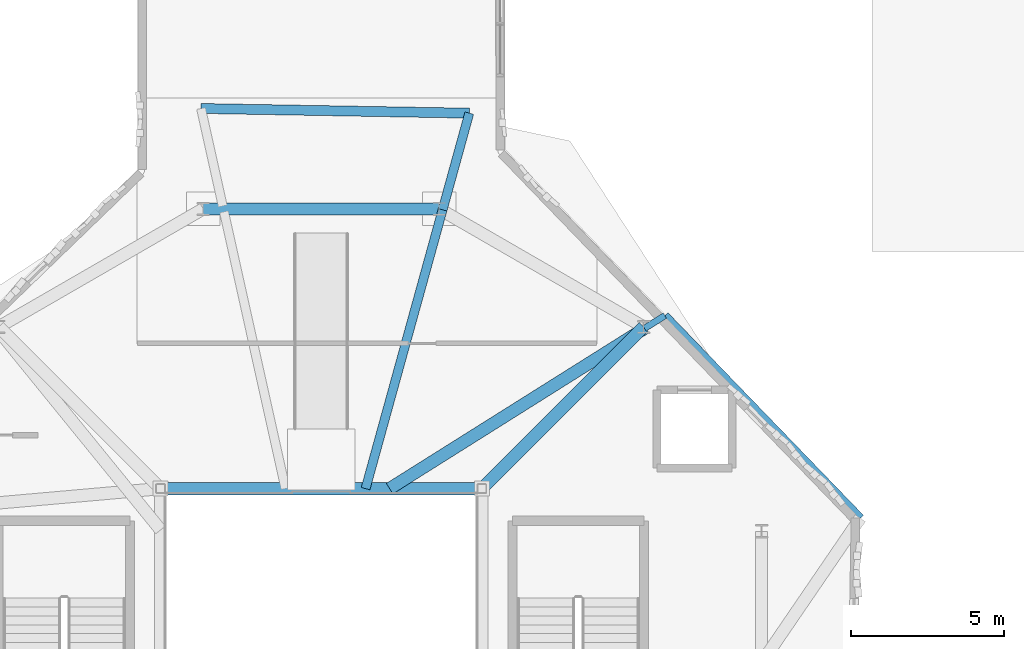
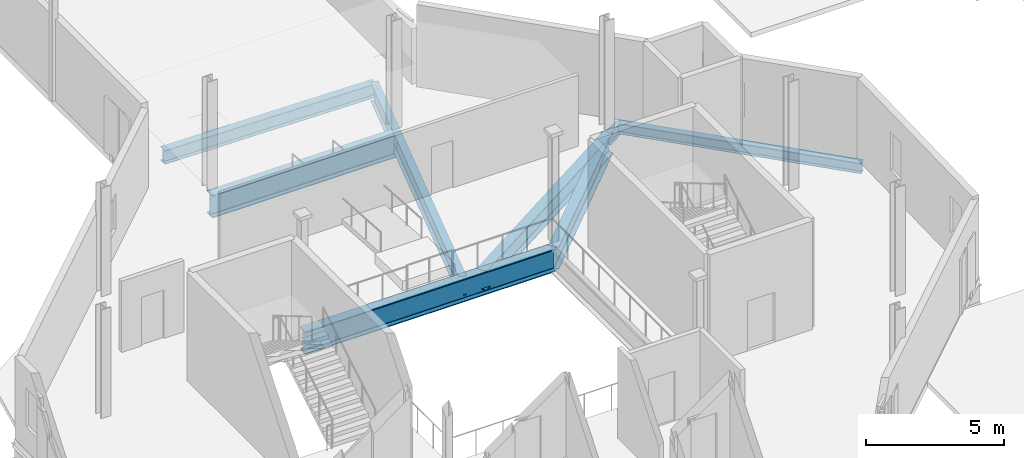
# One storey, part 33 of 85: 9 beams.
"""IFC4 building model written with IfcOpenShell, lengths in metres."""

from ifc_helpers import new_model, si_unit, direction, frame, origin, origin_2d, place, context, subcontext, project, spatial, i_section, extrude, material, material_profile, profile_set, type_object, element, save


model = new_model("IFC4")

# Units and contexts
model_context = context("Model", 3, precision=1e-05, world=origin(), true_north=direction((0.0, 1.0)))
body_context = subcontext(model_context, "Body", "Model", "MODEL_VIEW")
ifc_project = project(units=[si_unit("LENGTHUNIT", "METRE"), si_unit("AREAUNIT", "SQUARE_METRE"), si_unit("VOLUMEUNIT", "CUBIC_METRE"), si_unit("PLANEANGLEUNIT", "RADIAN"), si_unit("MASSUNIT", "GRAM", prefix="KILO"), si_unit("THERMODYNAMICTEMPERATUREUNIT", "KELVIN"), si_unit("POWERUNIT", "WATT")], contexts=[model_context])

# Site, building, storey
site_placement = place(None, origin())
site = spatial("IfcSite", under=ifc_project, at=site_placement, CompositionType="ELEMENT")
building_placement = place(site_placement, origin())
building = spatial("IfcBuilding", under=site, at=building_placement, Name="Zelmaris Science Centre", CompositionType="ELEMENT")
storey_placement = place(building_placement, frame((0.0, 0.0, 20.39990234375)))
storey = spatial("IfcBuildingStorey", under=building, at=storey_placement, Name="L04", CompositionType="ELEMENT", Elevation=20.39990234375)

# Beams
ifc_material = material(Name="Steel ASTM A992 Grade 50", Category="steel")
ifc_material_profile_1 = material_profile(ifc_material, i_section(OverallWidth=0.294921875, OverallDepth=0.85107421875, WebThickness=0.01611328125, FlangeThickness=0.02685546875, FilletRadius=0.02001953125, at=origin_2d()), Name="W33X152")
ifc_profile_set_1 = profile_set([ifc_material_profile_1], Name="Steel ASTM A992 Grade 50")
beam_type_1 = type_object("IfcBeamType", Name="Beam G-06 W33X152", PredefinedType="BEAM", material=ifc_profile_set_1)
beam_1_placement = place(storey_placement, frame((82.4501953125, 41.25, -0.705322265625), z_axis=(0.266247608215, 0.963904669104, 0.0), x_axis=(-0.963904669104, 0.266247608215, 0.0)))
element("IfcBeam", 1, at=beam_1_placement, inside=storey, type_object=beam_type_1, Name="L04 Overhang back-span girder 6", PredefinedType="BEAM", context=body_context, shape_type="SweptSolid", body=[
    extrude(i_section(OverallWidth=0.294921875, OverallDepth=0.85107421875, WebThickness=0.01611328125, FlangeThickness=0.02685546875, FilletRadius=0.02001953125, at=origin_2d()), origin(), (0.0, 0.0, 1.0), 9.453125),
])
beam_2_placement = place(storey_placement, frame((84.967041015625, 50.36181640625, -0.705322265625), z_axis=(0.26626072042, 0.963901047183, 0.0), x_axis=(-0.963901047183, 0.26626072042, 0.0)))
element("IfcBeam", 2, at=beam_2_placement, inside=storey, type_object=beam_type_1, Name="L04 Radial overhang girder 6", PredefinedType="BEAM", context=body_context, shape_type="SweptSolid", body=[
    extrude(i_section(OverallWidth=0.294921875, OverallDepth=0.85107421875, WebThickness=0.01611328125, FlangeThickness=0.02685546875, FilletRadius=0.02001953125, at=origin_2d()), origin(), (0.0, 0.0, 1.0), 3.278076171875),
])
ifc_material_profile_2 = material_profile(ifc_material, i_section(OverallWidth=0.2109375, OverallDepth=0.5380859375, WebThickness=0.01171875, FlangeThickness=0.018798828125, FilletRadius=0.013916015625, at=origin_2d()), Name="W21X73")
ifc_profile_set_2 = profile_set([ifc_material_profile_2], Name="Steel ASTM A992 Grade 50")
beam_type_2 = type_object("IfcBeamType", Name="Beam G-19 W21X73", PredefinedType="BEAM", material=ifc_profile_set_2)
beam_3_placement = place(storey_placement, frame((91.567138671875, 46.486328125, -0.548828125), z_axis=(0.846560360233, 0.532292735702, 0.0), x_axis=(-0.532292735702, 0.846560360233, 0.0)))
element("IfcBeam", 3, at=beam_3_placement, inside=storey, type_object=beam_type_2, Name="L04 Radial overhang girder 5", PredefinedType="BEAM", context=body_context, shape_type="SweptSolid", body=[
    extrude(i_section(OverallWidth=0.2109375, OverallDepth=0.5380859375, WebThickness=0.01171875, FlangeThickness=0.018798828125, FilletRadius=0.013916015625, at=origin_2d()), origin(), (0.0, 0.0, 1.0), 0.783935546875),
])
ifc_material_profile_3 = material_profile(ifc_material, i_section(OverallWidth=0.40087890625, OverallDepth=1.0009765625, WebThickness=0.01904296875, FlangeThickness=0.0361328125, FilletRadius=0.02490234375, at=origin_2d()), Name="W40X249")
ifc_profile_set_3 = profile_set([ifc_material_profile_3], Name="Steel ASTM A992 Grade 50")
beam_type_3 = type_object("IfcBeamType", Name="Beam G-22 W40X249", PredefinedType="BEAM", material=ifc_profile_set_3)
beam_4_placement = place(storey_placement, frame((84.8564453125, 50.392333984375, -0.780517578125), z_axis=(-1.0, 0.0, 0.0), x_axis=(0.0, -1.0, 0.0)))
element("IfcBeam", 4, at=beam_4_placement, inside=storey, type_object=beam_type_3, Name="L04 Exhibition inner ring girder 3", PredefinedType="BEAM", context=body_context, shape_type="SweptSolid", body=[
    extrude(i_section(OverallWidth=0.40087890625, OverallDepth=1.0009765625, WebThickness=0.01904296875, FlangeThickness=0.0361328125, FilletRadius=0.02490234375, at=origin_2d()), origin(), (0.0, 0.0, 1.0), 7.712890625),
])
beam_5_placement = place(storey_placement, frame((86.25, 41.25, -0.780517578125), z_axis=(-1.0, 0.0, 0.0), x_axis=(0.0, -1.0, 0.0)))
element("IfcBeam", 5, at=beam_5_placement, inside=storey, type_object=beam_type_3, Name="L04 Atrium framing girder 3", PredefinedType="BEAM", context=body_context, shape_type="SweptSolid", body=[
    extrude(i_section(OverallWidth=0.40087890625, OverallDepth=1.0009765625, WebThickness=0.01904296875, FlangeThickness=0.0361328125, FilletRadius=0.02490234375, at=origin_2d()), origin(), (0.0, 0.0, 1.0), 10.5),
])
beam_6_placement = place(storey_placement, frame((86.25, 41.25, -0.780517578125), z_axis=(0.707106781187, 0.707106781187, 0.0), x_axis=(-0.707106781187, 0.707106781187, 0.0)))
element("IfcBeam", 6, at=beam_6_placement, inside=storey, type_object=beam_type_3, Name="L04 Atrium diagonal header girder 3", PredefinedType="BEAM", context=body_context, shape_type="SweptSolid", body=[
    extrude(i_section(OverallWidth=0.40087890625, OverallDepth=1.0009765625, WebThickness=0.01904296875, FlangeThickness=0.0361328125, FilletRadius=0.02490234375, at=origin_2d()), origin(), (0.0, 0.0, 1.0), 7.475341796875),
])
ifc_material_profile_4 = material_profile(ifc_material, i_section(OverallWidth=0.404052734375, OverallDepth=0.861083984375, WebThickness=0.019775390625, FlangeThickness=0.032470703125, FilletRadius=0.02001953125, at=origin_2d()), Name="W33X221")
ifc_profile_set_4 = profile_set([ifc_material_profile_4], Name="Steel ASTM A992 Grade 50")
beam_type_4 = type_object("IfcBeamType", Name="Beam G-28 W33X221", PredefinedType="BEAM", material=ifc_profile_set_4)
beam_7_placement = place(storey_placement, frame((83.23681640625, 41.25, -0.71044921875), z_axis=(0.846630799723, 0.532180692021, 0.0), x_axis=(-0.532180692021, 0.846630799723, 0.0)))
element("IfcBeam", 7, at=beam_7_placement, inside=storey, type_object=beam_type_4, Name="L04 Overhang back-span girder 5", PredefinedType="BEAM", context=body_context, shape_type="SweptSolid", body=[
    extrude(i_section(OverallWidth=0.404052734375, OverallDepth=0.861083984375, WebThickness=0.019775390625, FlangeThickness=0.032470703125, FilletRadius=0.02001953125, at=origin_2d()), origin(), (0.0, 0.0, 1.0), 9.83935546875),
])
ifc_material_profile_5 = material_profile(ifc_material, i_section(OverallWidth=0.324951171875, OverallDepth=0.612060546875, WebThickness=0.0126953125, FlangeThickness=0.01904296875, FilletRadius=0.014892578125, at=origin_2d()), Name="W24X104")
ifc_profile_set_5 = profile_set([ifc_material_profile_5], Name="Steel ASTM A992 Grade 50")
beam_type_5 = type_object("IfcBeamType", Name="Beam SP-01 W24X104", PredefinedType="SPANDREL", material=ifc_profile_set_5)
beam_8_placement = place(storey_placement, frame((85.83984375, 53.521484375, -0.5859375), z_axis=(-0.999848080657, 0.017430307123, 0.0), x_axis=(-0.017430307123, -0.999848080657, 0.0)))
element("IfcBeam", 8, at=beam_8_placement, inside=storey, type_object=beam_type_5, Name="L04 Rotated facade spandrel beam 3", PredefinedType="SPANDREL", context=body_context, shape_type="SweptSolid", body=[
    extrude(i_section(OverallWidth=0.324951171875, OverallDepth=0.612060546875, WebThickness=0.0126953125, FlangeThickness=0.01904296875, FilletRadius=0.014892578125, at=origin_2d()), origin(), (0.0, 0.0, 1.0), 8.76806640625),
])
ifc_material_profile_6 = material_profile(ifc_material, i_section(OverallWidth=0.279052734375, OverallDepth=0.4619140625, WebThickness=0.0107421875, FlangeThickness=0.017333984375, FilletRadius=0.012939453125, at=origin_2d()), Name="W18X76")
ifc_profile_set_6 = profile_set([ifc_material_profile_6], Name="Steel ASTM A992 Grade 50")
beam_type_6 = type_object("IfcBeamType", Name="Beam SP-03 W18X76", PredefinedType="SPANDREL", material=ifc_profile_set_6)
beam_9_placement = place(storey_placement, frame((98.62158203125, 40.28564453125, -0.510986328125), z_axis=(-0.69465939183, 0.71933881401, 0.0), x_axis=(-0.71933881401, -0.69465939183, 0.0)))
element("IfcBeam", 9, at=beam_9_placement, inside=storey, type_object=beam_type_6, Name="L04 Rotated facade spandrel beam 2", PredefinedType="SPANDREL", context=body_context, shape_type="SweptSolid", body=[
    extrude(i_section(OverallWidth=0.279052734375, OverallDepth=0.4619140625, WebThickness=0.0107421875, FlangeThickness=0.017333984375, FilletRadius=0.012939453125, at=origin_2d()), origin(), (0.0, 0.0, 1.0), 9.199951171875),
])

save(model, "model.ifc")
